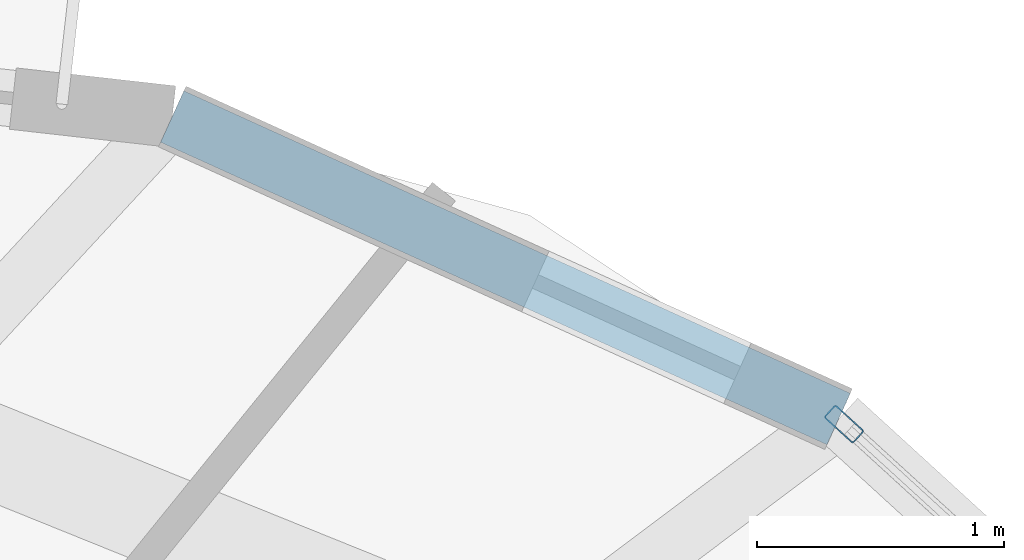
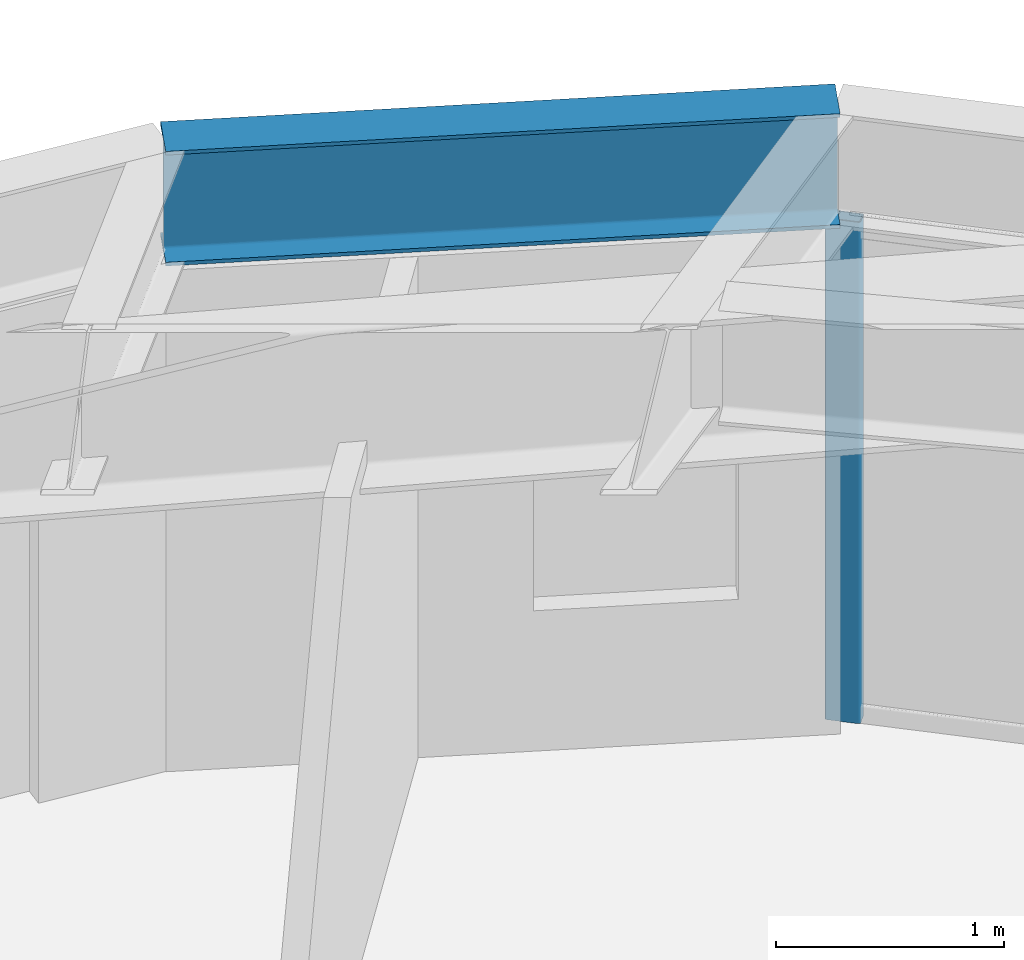
# One storey, part 15 of 22: 1 beam, 1 member, 1 element without a shape of its own.
"""IFC4 building model written with IfcOpenShell, lengths in metres."""

from ifc_helpers import new_model, si_unit, direction, frame, origin, origin_2d, place, context, subcontext, project, spatial, hollow_rectangle, i_section, extrude, material, layer, layer_set, material_profile, profile_set, type_object, element, aggregate, save


model = new_model("IFC4")

# Units and contexts
model_context = context("Model", 3, precision=1e-05, world=origin(), true_north=direction((0.0, 1.0)))
body_context = subcontext(model_context, "Body", "Model", "MODEL_VIEW")
ifc_project = project(units=[si_unit("LENGTHUNIT", "METRE"), si_unit("AREAUNIT", "SQUARE_METRE"), si_unit("VOLUMEUNIT", "CUBIC_METRE"), si_unit("PLANEANGLEUNIT", "RADIAN"), si_unit("MASSUNIT", "GRAM", prefix="KILO")], contexts=[model_context])

# Site, building, storey
site_placement = place(None, origin())
site = spatial("IfcSite", under=ifc_project, at=site_placement, CompositionType="ELEMENT")
building_placement = place(site_placement, origin())
building = spatial("IfcBuilding", under=site, at=building_placement, Name="Soratama Intermodal Tower", CompositionType="ELEMENT")
storey_placement = place(building_placement, frame((0.0, 0.0, 142.60009765625)))
storey = spatial("IfcBuildingStorey", under=building, at=storey_placement, Name="L34", CompositionType="ELEMENT", Elevation=142.60009765625)

# Beam
ifc_material_1 = material(Name="Structural steel ASTM A992 Grade 50", Category="steel")
ifc_material_profile_1 = material_profile(ifc_material_1, i_section(OverallWidth=0.22900390625, OverallDepth=0.612060546875, WebThickness=0.011962890625, FlangeThickness=0.01953125, FilletRadius=0.012939453125, at=origin_2d()), Name="W24X84")
ifc_profile_set_1 = profile_set([ifc_material_profile_1], Name="Structural steel ASTM A992 Grade 50")
beam_type = type_object("IfcBeamType", Name="BM-SPN-W24X84", PredefinedType="SPANDREL", material=ifc_profile_set_1)
beam_placement = place(storey_placement, frame((53.845947265625, 40.89501953125, 2.993896484375), z_axis=(-0.910572134621, 0.413350199771, 0.0), x_axis=(-0.413350199771, -0.910572134621, 0.0)))
element("IfcBeam", 1, at=beam_placement, inside=storey, type_object=beam_type, Name="BS-L34-CRN01", PredefinedType="SPANDREL", context=body_context, shape_type="SweptSolid", body=[
    extrude(i_section(OverallWidth=0.22900390625, OverallDepth=0.612060546875, WebThickness=0.011962890625, FlangeThickness=0.01953125, FilletRadius=0.012939453125, at=origin_2d()), origin(), (0.0, 0.0, 1.0), 2.96630859375),
])

# Curtain wall, member
ifc_material_2 = material(Name="Double-glazed aluminium curtain wall", Category="aluminium")
ifc_layer = layer(ifc_material_2, 0.159912109375)
ifc_layer_set = layer_set([ifc_layer], Name="Double-glazed aluminium curtain wall")
curtain_wall_type = type_object("IfcCurtainWallType", Name="CW-SYS-4", PredefinedType="NOTDEFINED", material=ifc_layer_set)
curtain_wall_placement = place(storey_placement, origin())
curtain_wall = element("IfcCurtainWall", 2, at=curtain_wall_placement, inside=storey, type_object=curtain_wall_type, Name="L34 Faceted Curtain Wall F01", PredefinedType="NOTDEFINED")
ifc_material_3 = material(Name="Anodised aluminium AA 6063-T6", Category="aluminium")
ifc_material_profile_2 = material_profile(ifc_material_3, hollow_rectangle(XDim=0.070068359375, YDim=0.159912109375, WallThickness=0.0048828125, InnerFilletRadius=0.0048828125, OuterFilletRadius=0.010009765625, at=origin_2d()), Name="CWM160X70X5")
ifc_profile_set_2 = profile_set([ifc_material_profile_2], Name="Anodised aluminium AA 6063-T6")
member_type = type_object("IfcMemberType", Name="MT-CWM-4", PredefinedType="MULLION", material=ifc_profile_set_2)
member_placement = place(storey_placement, frame((53.867919921875, 40.874267578125, 0.0), z_axis=(0.0, 0.0, 1.0), x_axis=(-0.674559219776, -0.738220738678, 0.0)))
member = element("IfcMember", 3, at=member_placement, type_object=member_type, Name="CW-4 mullion 2", PredefinedType="MULLION", context=body_context, shape_type="SweptSolid", body=[
    extrude(hollow_rectangle(XDim=0.070068359375, YDim=0.159912109375, WallThickness=0.0048828125, InnerFilletRadius=0.0048828125, OuterFilletRadius=0.010009765625, at=origin_2d()), origin(), (0.0, 0.0, 1.0), 2.678955078125),
])
aggregate(curtain_wall, [member])

save(model, "model.ifc")
